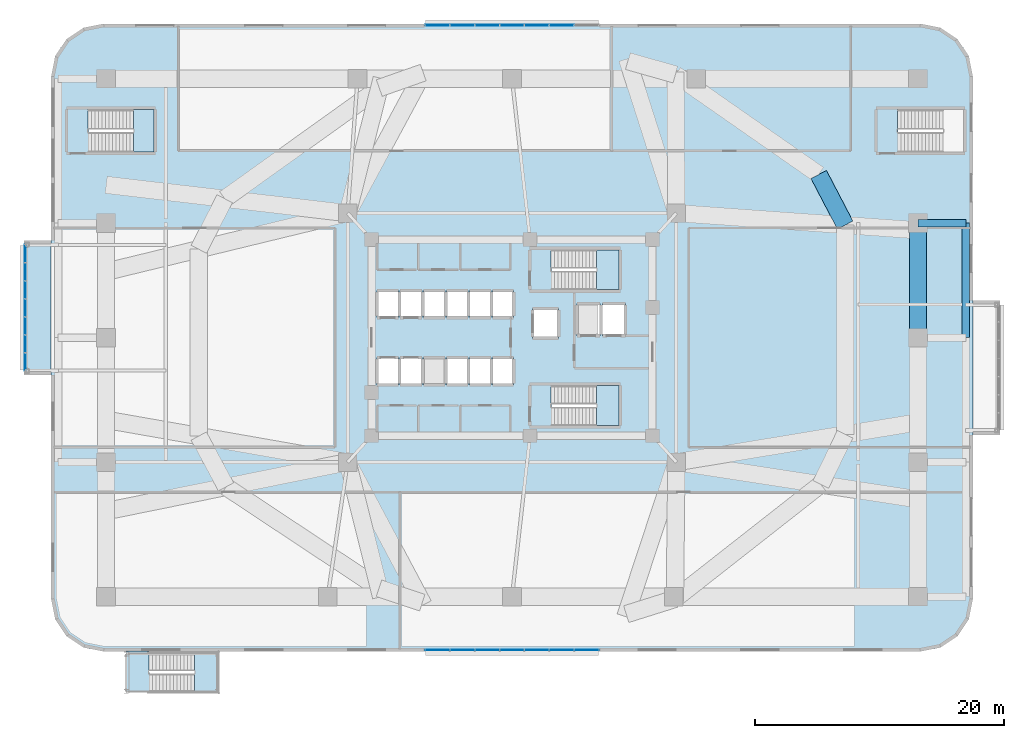
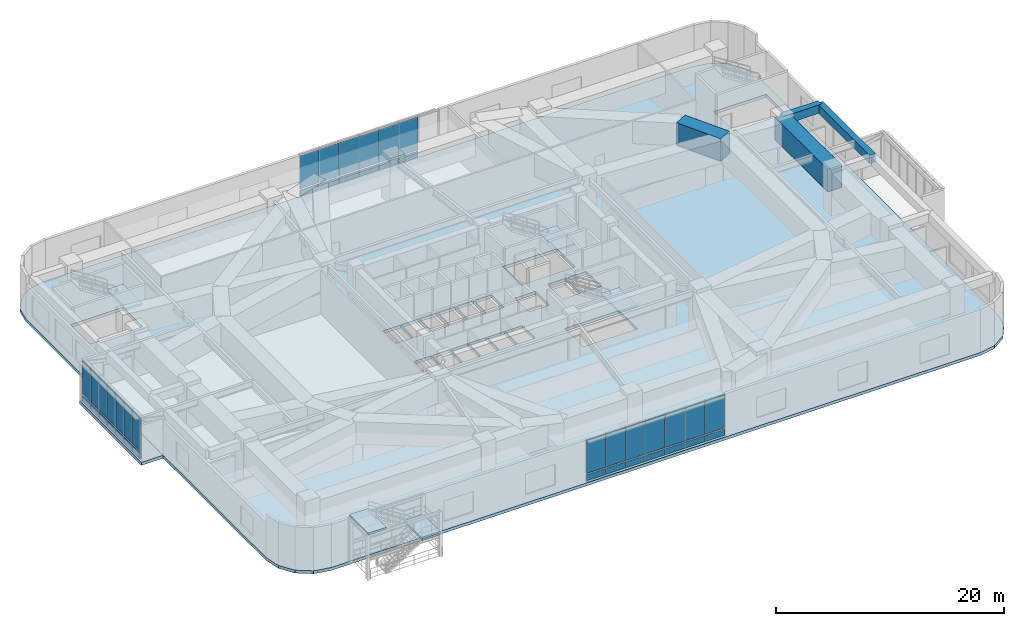
# One storey, part 15 of 26: 40 plates, 7 slabs, 4 beams, 7 elements without a shape of their own.
"""IFC4 building model written with IfcOpenShell, lengths in metres."""

from ifc_helpers import new_model, si_unit, direction, frame, origin, origin_2d, place, context, subcontext, project, spatial, polyline, rectangle, outline, extrude, material, layer, layer_set, material_profile, profile_set, type_object, element, aggregate, save


model = new_model("IFC4")

# Units and contexts
model_context = context("Model", 3, precision=1e-05, world=origin(), true_north=direction((0.0, 1.0)))
body_context = subcontext(model_context, "Body", "Model", "MODEL_VIEW")
ifc_project = project(units=[si_unit("LENGTHUNIT", "METRE"), si_unit("AREAUNIT", "SQUARE_METRE"), si_unit("VOLUMEUNIT", "CUBIC_METRE"), si_unit("PLANEANGLEUNIT", "RADIAN"), si_unit("MASSUNIT", "GRAM", prefix="KILO")], contexts=[model_context])

# Site, building, storey
site_placement = place(None, origin())
site = spatial("IfcSite", under=ifc_project, at=site_placement, CompositionType="ELEMENT")
building_placement = place(site_placement, origin())
building = spatial("IfcBuilding", under=site, at=building_placement, Name="Zulverin Broadcast Headquarters", CompositionType="ELEMENT")
storey_placement = place(building_placement, frame((0.0, 0.0, 20.0)))
storey = spatial("IfcBuildingStorey", under=building, at=storey_placement, Name="L04", CompositionType="ELEMENT", Elevation=20.0)

# Beams
ifc_material_1 = material(Name="Concrete C40/50", Category="concrete")
ifc_material_profile_1 = material_profile(ifc_material_1, rectangle(XDim=0.60009765625, YDim=0.89990234375, at=origin_2d()), Name="Concrete C40/50", Category="concrete")
ifc_profile_set_1 = profile_set([ifc_material_profile_1], Name="Concrete C40/50")
beam_type_1 = type_object("IfcBeamType", Name="BM-RC-600x900", PredefinedType="BEAM", material=ifc_profile_set_1)
beam_1_placement = place(storey_placement, frame((69.60009765625, 34.39990234375, 4.14990234375), z_axis=(1.0, 0.0, 0.0), x_axis=(0.0, 1.0, 0.0)))
element("IfcBeam", 1, at=beam_1_placement, inside=storey, type_object=beam_type_1, Name="L04 East Perimeter Bracket Girder EBR-4", PredefinedType="BEAM", context=body_context, shape_type="SweptSolid", body=[
    extrude(rectangle(XDim=0.60009765625, YDim=0.89990234375, at=origin_2d()), origin(), (0.0, 0.0, 1.0), 3.849853515625),
])
beam_2_placement = place(storey_placement, frame((73.449951171875, 25.199951171875, 4.14990234375), z_axis=(0.0, 1.0, 0.0), x_axis=(-1.0, 0.0, 0.0)))
element("IfcBeam", 2, at=beam_2_placement, inside=storey, type_object=beam_type_1, Name="L04 East Edge Spandrel Girder EEG-3", PredefinedType="BEAM", context=body_context, shape_type="SweptSolid", body=[
    extrude(rectangle(XDim=0.60009765625, YDim=0.89990234375, at=origin_2d()), origin(), (0.0, 0.0, 1.0), 9.199951171875),
])
ifc_material_2 = material(Name="Concrete C60/75", Category="concrete")
ifc_material_profile_2 = material_profile(ifc_material_2, rectangle(XDim=1.39990234375, YDim=2.39990234375, at=origin_2d()), Name="Concrete C60/75", Category="concrete")
ifc_profile_set_2 = profile_set([ifc_material_profile_2], Name="Concrete C60/75")
beam_type_2 = type_object("IfcBeamType", Name="BM-TG-1400x2400", PredefinedType="USERDEFINED", material=ifc_profile_set_2)
beam_3_placement = place(storey_placement, frame((69.60009765625, 25.199951171875, 3.39990234375), z_axis=(0.0, 1.0, 0.0), x_axis=(-1.0, 0.0, 0.0)))
element("IfcBeam", 3, at=beam_3_placement, inside=storey, type_object=beam_type_2, Name="L04 Podium Transfer Ring Girder P15-P16", ObjectType="TRANSFER GIRDER", PredefinedType="USERDEFINED", context=body_context, shape_type="SweptSolid", body=[
    extrude(rectangle(XDim=1.39990234375, YDim=2.39990234375, at=origin_2d()), origin(), (0.0, 0.0, 1.0), 9.199951171875),
])
beam_4_placement = place(storey_placement, frame((63.75, 34.235107421875, 3.39990234375), z_axis=(-0.462531417359, 0.886602891917, 0.0), x_axis=(-0.886602891917, -0.462531417359, 0.0)))
element("IfcBeam", 4, at=beam_4_placement, inside=storey, type_object=beam_type_2, Name="L05 Tower Base Transfer Ring Girder TGR-06", ObjectType="TRANSFER GIRDER", PredefinedType="USERDEFINED", context=body_context, shape_type="SweptSolid", body=[
    extrude(rectangle(XDim=1.39990234375, YDim=2.39990234375, at=origin_2d()), origin(), (0.0, 0.0, 1.0), 4.583251953125),
])

# Curtain wall, plates
ifc_material_3 = material(Name="Pale-metal unitised podium curtain wall", Category="aluminium")
curtain_wall_type_1 = type_object("IfcCurtainWallType", Name="CW-POD", PredefinedType="USERDEFINED", material=ifc_material_3)
curtain_wall_1_placement = place(storey_placement, origin())
curtain_wall_1 = element("IfcCurtainWall", 5, at=curtain_wall_1_placement, inside=storey, type_object=curtain_wall_type_1, Name="L04 Unitised Curtain Wall CW-L04-N2", ObjectType="UNITISED CURTAIN WALL", PredefinedType="USERDEFINED")
ifc_material_4 = material(Name="Low-E double-glazed pale-silver vision glass", Category="glass")
ifc_layer_1 = layer(ifc_material_4, 0.035888671875, Name="Low-E double-glazed pale-silver vision glass", Category="glass")
ifc_layer_set_1 = layer_set([ifc_layer_1], Name="Low-E double-glazed pale-silver vision glass")
plate_type_1 = type_object("IfcPlateType", Name="CW-PNL-GLZ", PredefinedType="CURTAIN_PANEL", material=ifc_layer_set_1)
plate_1_placement = place(storey_placement, frame((41.0, 50.280029296875, 0.9150390625), z_axis=(0.0, 0.0, 1.0), x_axis=(-1.0, 0.0, 0.0)))
plate_1 = element("IfcPlate", 6, at=plate_1_placement, type_object=plate_type_1, Name="CW-L04-N2 Vision Panel 01", PredefinedType="CURTAIN_PANEL", context=body_context, shape_type="SweptSolid", body=[
    extrude(rectangle(XDim=1.9599609375, YDim=0.035888671875, at=origin_2d()), origin(), (0.0, 0.0, 1.0), 3.544921875),
])
plate_2_placement = place(storey_placement, frame((39.0, 50.280029296875, 0.9150390625), z_axis=(0.0, 0.0, 1.0), x_axis=(-1.0, 0.0, 0.0)))
plate_2 = element("IfcPlate", 7, at=plate_2_placement, type_object=plate_type_1, Name="CW-L04-N2 Vision Panel 02", PredefinedType="CURTAIN_PANEL", context=body_context, shape_type="SweptSolid", body=[
    extrude(rectangle(XDim=1.9599609375, YDim=0.035888671875, at=origin_2d()), origin(), (0.0, 0.0, 1.0), 3.544921875),
])
plate_3_placement = place(storey_placement, frame((37.0, 50.280029296875, 0.9150390625), z_axis=(0.0, 0.0, 1.0), x_axis=(-1.0, 0.0, 0.0)))
plate_3 = element("IfcPlate", 8, at=plate_3_placement, type_object=plate_type_1, Name="CW-L04-N2 Vision Panel 03", PredefinedType="CURTAIN_PANEL", context=body_context, shape_type="SweptSolid", body=[
    extrude(rectangle(XDim=1.9599609375, YDim=0.035888671875, at=origin_2d()), origin(), (0.0, 0.0, 1.0), 3.544921875),
])
plate_4_placement = place(storey_placement, frame((35.0, 50.280029296875, 0.9150390625), z_axis=(0.0, 0.0, 1.0), x_axis=(-1.0, 0.0, 0.0)))
plate_4 = element("IfcPlate", 9, at=plate_4_placement, type_object=plate_type_1, Name="CW-L04-N2 Vision Panel 04", PredefinedType="CURTAIN_PANEL", context=body_context, shape_type="SweptSolid", body=[
    extrude(rectangle(XDim=1.9599609375, YDim=0.035888671875, at=origin_2d()), origin(), (0.0, 0.0, 1.0), 3.544921875),
])
plate_5_placement = place(storey_placement, frame((33.0, 50.280029296875, 0.9150390625), z_axis=(0.0, 0.0, 1.0), x_axis=(-1.0, 0.0, 0.0)))
plate_5 = element("IfcPlate", 10, at=plate_5_placement, type_object=plate_type_1, Name="CW-L04-N2 Vision Panel 05", PredefinedType="CURTAIN_PANEL", context=body_context, shape_type="SweptSolid", body=[
    extrude(rectangle(XDim=1.9599609375, YDim=0.035888671875, at=origin_2d()), origin(), (0.0, 0.0, 1.0), 3.544921875),
])
plate_6_placement = place(storey_placement, frame((31.0, 50.280029296875, 0.9150390625), z_axis=(0.0, 0.0, 1.0), x_axis=(-1.0, 0.0, 0.0)))
plate_6 = element("IfcPlate", 11, at=plate_6_placement, type_object=plate_type_1, Name="CW-L04-N2 Vision Panel 06", PredefinedType="CURTAIN_PANEL", context=body_context, shape_type="SweptSolid", body=[
    extrude(rectangle(XDim=1.9599609375, YDim=0.035888671875, at=origin_2d()), origin(), (0.0, 0.0, 1.0), 3.544921875),
])

curtain_wall_2_placement = place(storey_placement, origin())
curtain_wall_2 = element("IfcCurtainWall", 12, at=curtain_wall_2_placement, inside=storey, type_object=curtain_wall_type_1, Name="L04 Unitised Curtain Wall CW-L04-S4", ObjectType="UNITISED CURTAIN WALL", PredefinedType="USERDEFINED")
plate_7_placement = place(storey_placement, frame((31.0, 0.1201171875, 0.9150390625), z_axis=(0.0, 0.0, 1.0), x_axis=(1.0, 0.0, 0.0)))
plate_7 = element("IfcPlate", 13, at=plate_7_placement, type_object=plate_type_1, Name="CW-L04-S4 Vision Panel 00", PredefinedType="CURTAIN_PANEL", context=body_context, shape_type="SweptSolid", body=[
    extrude(rectangle(XDim=1.9599609375, YDim=0.035888671875, at=origin_2d()), origin(), (0.0, 0.0, 1.0), 3.544921875),
])
plate_8_placement = place(storey_placement, frame((33.0, 0.1201171875, 0.9150390625), z_axis=(0.0, 0.0, 1.0), x_axis=(1.0, 0.0, 0.0)))
plate_8 = element("IfcPlate", 14, at=plate_8_placement, type_object=plate_type_1, Name="CW-L04-S4 Vision Panel 01", PredefinedType="CURTAIN_PANEL", context=body_context, shape_type="SweptSolid", body=[
    extrude(rectangle(XDim=1.9599609375, YDim=0.035888671875, at=origin_2d()), origin(), (0.0, 0.0, 1.0), 3.544921875),
])
plate_9_placement = place(storey_placement, frame((35.0, 0.1201171875, 0.9150390625), z_axis=(0.0, 0.0, 1.0), x_axis=(1.0, 0.0, 0.0)))
plate_9 = element("IfcPlate", 15, at=plate_9_placement, type_object=plate_type_1, Name="CW-L04-S4 Vision Panel 02", PredefinedType="CURTAIN_PANEL", context=body_context, shape_type="SweptSolid", body=[
    extrude(rectangle(XDim=1.9599609375, YDim=0.035888671875, at=origin_2d()), origin(), (0.0, 0.0, 1.0), 3.544921875),
])
plate_10_placement = place(storey_placement, frame((37.0, 0.1201171875, 0.9150390625), z_axis=(0.0, 0.0, 1.0), x_axis=(1.0, 0.0, 0.0)))
plate_10 = element("IfcPlate", 16, at=plate_10_placement, type_object=plate_type_1, Name="CW-L04-S4 Vision Panel 03", PredefinedType="CURTAIN_PANEL", context=body_context, shape_type="SweptSolid", body=[
    extrude(rectangle(XDim=1.9599609375, YDim=0.035888671875, at=origin_2d()), origin(), (0.0, 0.0, 1.0), 3.544921875),
])
plate_11_placement = place(storey_placement, frame((39.0, 0.1201171875, 0.9150390625), z_axis=(0.0, 0.0, 1.0), x_axis=(1.0, 0.0, 0.0)))
plate_11 = element("IfcPlate", 17, at=plate_11_placement, type_object=plate_type_1, Name="CW-L04-S4 Vision Panel 04", PredefinedType="CURTAIN_PANEL", context=body_context, shape_type="SweptSolid", body=[
    extrude(rectangle(XDim=1.9599609375, YDim=0.035888671875, at=origin_2d()), origin(), (0.0, 0.0, 1.0), 3.544921875),
])
plate_12_placement = place(storey_placement, frame((41.0, 0.1201171875, 0.9150390625), z_axis=(0.0, 0.0, 1.0), x_axis=(1.0, 0.0, 0.0)))
plate_12 = element("IfcPlate", 18, at=plate_12_placement, type_object=plate_type_1, Name="CW-L04-S4 Vision Panel 05", PredefinedType="CURTAIN_PANEL", context=body_context, shape_type="SweptSolid", body=[
    extrude(rectangle(XDim=1.9599609375, YDim=0.035888671875, at=origin_2d()), origin(), (0.0, 0.0, 1.0), 3.544921875),
])
plate_13_placement = place(storey_placement, frame((43.0, 0.1201171875, 0.9150390625), z_axis=(0.0, 0.0, 1.0), x_axis=(1.0, 0.0, 0.0)))
plate_13 = element("IfcPlate", 19, at=plate_13_placement, type_object=plate_type_1, Name="CW-L04-S4 Vision Panel 06", PredefinedType="CURTAIN_PANEL", context=body_context, shape_type="SweptSolid", body=[
    extrude(rectangle(XDim=1.9599609375, YDim=0.035888671875, at=origin_2d()), origin(), (0.0, 0.0, 1.0), 3.544921875),
])

ifc_material_5 = material(Name="Acoustic triple-glazed studio box curtain wall", Category="aluminium")
curtain_wall_type_2 = type_object("IfcCurtainWallType", Name="CW-SBOX", PredefinedType="USERDEFINED", material=ifc_material_5)
curtain_wall_3_placement = place(storey_placement, origin())
curtain_wall_3 = element("IfcCurtainWall", 20, at=curtain_wall_3_placement, inside=storey, type_object=curtain_wall_type_2, Name="L04 Unitised Curtain Wall CW-L04-SBOX_POD_UPPER_W1-F", ObjectType="UNITISED CURTAIN WALL", PredefinedType="USERDEFINED")
plate_14_placement = place(storey_placement, frame((-2.080078125, 31.954345703125, 0.9150390625), z_axis=(0.0, 0.0, 1.0), x_axis=(0.0, -1.0, 0.0)))
plate_14 = element("IfcPlate", 21, at=plate_14_placement, type_object=plate_type_1, Name="CW-L04-SBOX_POD_UPPER_W1-F Vision Panel 00", PredefinedType="CURTAIN_PANEL", context=body_context, shape_type="SweptSolid", body=[
    extrude(rectangle(XDim=1.411376953125, YDim=0.035888671875, at=origin_2d()), origin(), (0.0, 0.0, 1.0), 3.544921875),
])
plate_15_placement = place(storey_placement, frame((-2.080078125, 30.5029296875, 0.9150390625), z_axis=(0.0, 0.0, 1.0), x_axis=(0.0, -1.0, 0.0)))
plate_15 = element("IfcPlate", 22, at=plate_15_placement, type_object=plate_type_1, Name="CW-L04-SBOX_POD_UPPER_W1-F Vision Panel 01", PredefinedType="CURTAIN_PANEL", context=body_context, shape_type="SweptSolid", body=[
    extrude(rectangle(XDim=1.411376953125, YDim=0.035888671875, at=origin_2d()), origin(), (0.0, 0.0, 1.0), 3.544921875),
])
plate_16_placement = place(storey_placement, frame((-2.080078125, 29.051513671875, 0.9150390625), z_axis=(0.0, 0.0, 1.0), x_axis=(0.0, -1.0, 0.0)))
plate_16 = element("IfcPlate", 23, at=plate_16_placement, type_object=plate_type_1, Name="CW-L04-SBOX_POD_UPPER_W1-F Vision Panel 02", PredefinedType="CURTAIN_PANEL", context=body_context, shape_type="SweptSolid", body=[
    extrude(rectangle(XDim=1.411376953125, YDim=0.035888671875, at=origin_2d()), origin(), (0.0, 0.0, 1.0), 3.544921875),
])
plate_17_placement = place(storey_placement, frame((-2.080078125, 27.60009765625, 0.9150390625), z_axis=(0.0, 0.0, 1.0), x_axis=(0.0, -1.0, 0.0)))
plate_17 = element("IfcPlate", 24, at=plate_17_placement, type_object=plate_type_1, Name="CW-L04-SBOX_POD_UPPER_W1-F Vision Panel 03", PredefinedType="CURTAIN_PANEL", context=body_context, shape_type="SweptSolid", body=[
    extrude(rectangle(XDim=1.411376953125, YDim=0.035888671875, at=origin_2d()), origin(), (0.0, 0.0, 1.0), 3.544921875),
])
plate_18_placement = place(storey_placement, frame((-2.080078125, 26.148681640625, 0.9150390625), z_axis=(0.0, 0.0, 1.0), x_axis=(0.0, -1.0, 0.0)))
plate_18 = element("IfcPlate", 25, at=plate_18_placement, type_object=plate_type_1, Name="CW-L04-SBOX_POD_UPPER_W1-F Vision Panel 04", PredefinedType="CURTAIN_PANEL", context=body_context, shape_type="SweptSolid", body=[
    extrude(rectangle(XDim=1.411376953125, YDim=0.035888671875, at=origin_2d()), origin(), (0.0, 0.0, 1.0), 3.544921875),
])
plate_19_placement = place(storey_placement, frame((-2.080078125, 24.697021484375, 0.9150390625), z_axis=(0.0, 0.0, 1.0), x_axis=(0.0, -1.0, 0.0)))
plate_19 = element("IfcPlate", 26, at=plate_19_placement, type_object=plate_type_1, Name="CW-L04-SBOX_POD_UPPER_W1-F Vision Panel 05", PredefinedType="CURTAIN_PANEL", context=body_context, shape_type="SweptSolid", body=[
    extrude(rectangle(XDim=1.411376953125, YDim=0.035888671875, at=origin_2d()), origin(), (0.0, 0.0, 1.0), 3.544921875),
])
plate_20_placement = place(storey_placement, frame((-2.080078125, 23.24560546875, 0.9150390625), z_axis=(0.0, 0.0, 1.0), x_axis=(0.0, -1.0, 0.0)))
plate_20 = element("IfcPlate", 27, at=plate_20_placement, type_object=plate_type_1, Name="CW-L04-SBOX_POD_UPPER_W1-F Vision Panel 06", PredefinedType="CURTAIN_PANEL", context=body_context, shape_type="SweptSolid", body=[
    extrude(rectangle(XDim=1.411376953125, YDim=0.035888671875, at=origin_2d()), origin(), (0.0, 0.0, 1.0), 3.544921875),
])

# Plate
ifc_material_6 = material(Name="Insulated brushed pale-aluminium spandrel cassette", Category="aluminium")
ifc_layer_2 = layer(ifc_material_6, 0.050048828125, Name="Insulated brushed pale-aluminium spandrel cassette", Category="aluminium")
ifc_layer_set_2 = layer_set([ifc_layer_2], Name="Insulated brushed pale-aluminium spandrel cassette")
plate_type_2 = type_object("IfcPlateType", Name="CW-PNL-SPN", PredefinedType="CURTAIN_PANEL", material=ifc_layer_set_2)
plate_21_placement = place(storey_placement, frame((41.0, 50.280029296875, 0.139892578125), z_axis=(0.0, 0.0, 1.0), x_axis=(-1.0, 0.0, 0.0)))
plate_21 = element("IfcPlate", 28, at=plate_21_placement, type_object=plate_type_2, Name="CW-L04-N2 Spandrel Cassette 01", PredefinedType="CURTAIN_PANEL", context=body_context, shape_type="SweptSolid", body=[
    extrude(rectangle(XDim=1.9599609375, YDim=0.050048828125, at=origin_2d()), origin(), (0.0, 0.0, 1.0), 0.64501953125),
])

plate_22_placement = place(storey_placement, frame((39.0, 50.280029296875, 0.139892578125), z_axis=(0.0, 0.0, 1.0), x_axis=(-1.0, 0.0, 0.0)))
plate_22 = element("IfcPlate", 29, at=plate_22_placement, type_object=plate_type_2, Name="CW-L04-N2 Spandrel Cassette 02", PredefinedType="CURTAIN_PANEL", context=body_context, shape_type="SweptSolid", body=[
    extrude(rectangle(XDim=1.9599609375, YDim=0.050048828125, at=origin_2d()), origin(), (0.0, 0.0, 1.0), 0.64501953125),
])

plate_23_placement = place(storey_placement, frame((37.0, 50.280029296875, 0.139892578125), z_axis=(0.0, 0.0, 1.0), x_axis=(-1.0, 0.0, 0.0)))
plate_23 = element("IfcPlate", 30, at=plate_23_placement, type_object=plate_type_2, Name="CW-L04-N2 Spandrel Cassette 03", PredefinedType="CURTAIN_PANEL", context=body_context, shape_type="SweptSolid", body=[
    extrude(rectangle(XDim=1.9599609375, YDim=0.050048828125, at=origin_2d()), origin(), (0.0, 0.0, 1.0), 0.64501953125),
])

plate_24_placement = place(storey_placement, frame((35.0, 50.280029296875, 0.139892578125), z_axis=(0.0, 0.0, 1.0), x_axis=(-1.0, 0.0, 0.0)))
plate_24 = element("IfcPlate", 31, at=plate_24_placement, type_object=plate_type_2, Name="CW-L04-N2 Spandrel Cassette 04", PredefinedType="CURTAIN_PANEL", context=body_context, shape_type="SweptSolid", body=[
    extrude(rectangle(XDim=1.9599609375, YDim=0.050048828125, at=origin_2d()), origin(), (0.0, 0.0, 1.0), 0.64501953125),
])

plate_25_placement = place(storey_placement, frame((33.0, 50.280029296875, 0.139892578125), z_axis=(0.0, 0.0, 1.0), x_axis=(-1.0, 0.0, 0.0)))
plate_25 = element("IfcPlate", 32, at=plate_25_placement, type_object=plate_type_2, Name="CW-L04-N2 Spandrel Cassette 05", PredefinedType="CURTAIN_PANEL", context=body_context, shape_type="SweptSolid", body=[
    extrude(rectangle(XDim=1.9599609375, YDim=0.050048828125, at=origin_2d()), origin(), (0.0, 0.0, 1.0), 0.64501953125),
])

plate_26_placement = place(storey_placement, frame((31.0, 50.280029296875, 0.139892578125), z_axis=(0.0, 0.0, 1.0), x_axis=(-1.0, 0.0, 0.0)))
plate_26 = element("IfcPlate", 33, at=plate_26_placement, type_object=plate_type_2, Name="CW-L04-N2 Spandrel Cassette 06", PredefinedType="CURTAIN_PANEL", context=body_context, shape_type="SweptSolid", body=[
    extrude(rectangle(XDim=1.9599609375, YDim=0.050048828125, at=origin_2d()), origin(), (0.0, 0.0, 1.0), 0.64501953125),
])

aggregate(curtain_wall_1, [plate_21, plate_1, plate_22, plate_2, plate_23, plate_3, plate_24, plate_4, plate_25, plate_5, plate_26, plate_6])

plate_27_placement = place(storey_placement, frame((31.0, 0.1201171875, 0.139892578125), z_axis=(0.0, 0.0, 1.0), x_axis=(1.0, 0.0, 0.0)))
plate_27 = element("IfcPlate", 34, at=plate_27_placement, type_object=plate_type_2, Name="CW-L04-S4 Spandrel Cassette 00", PredefinedType="CURTAIN_PANEL", context=body_context, shape_type="SweptSolid", body=[
    extrude(rectangle(XDim=1.9599609375, YDim=0.050048828125, at=origin_2d()), origin(), (0.0, 0.0, 1.0), 0.64501953125),
])

plate_28_placement = place(storey_placement, frame((33.0, 0.1201171875, 0.139892578125), z_axis=(0.0, 0.0, 1.0), x_axis=(1.0, 0.0, 0.0)))
plate_28 = element("IfcPlate", 35, at=plate_28_placement, type_object=plate_type_2, Name="CW-L04-S4 Spandrel Cassette 01", PredefinedType="CURTAIN_PANEL", context=body_context, shape_type="SweptSolid", body=[
    extrude(rectangle(XDim=1.9599609375, YDim=0.050048828125, at=origin_2d()), origin(), (0.0, 0.0, 1.0), 0.64501953125),
])

plate_29_placement = place(storey_placement, frame((35.0, 0.1201171875, 0.139892578125), z_axis=(0.0, 0.0, 1.0), x_axis=(1.0, 0.0, 0.0)))
plate_29 = element("IfcPlate", 36, at=plate_29_placement, type_object=plate_type_2, Name="CW-L04-S4 Spandrel Cassette 02", PredefinedType="CURTAIN_PANEL", context=body_context, shape_type="SweptSolid", body=[
    extrude(rectangle(XDim=1.9599609375, YDim=0.050048828125, at=origin_2d()), origin(), (0.0, 0.0, 1.0), 0.64501953125),
])

plate_30_placement = place(storey_placement, frame((37.0, 0.1201171875, 0.139892578125), z_axis=(0.0, 0.0, 1.0), x_axis=(1.0, 0.0, 0.0)))
plate_30 = element("IfcPlate", 37, at=plate_30_placement, type_object=plate_type_2, Name="CW-L04-S4 Spandrel Cassette 03", PredefinedType="CURTAIN_PANEL", context=body_context, shape_type="SweptSolid", body=[
    extrude(rectangle(XDim=1.9599609375, YDim=0.050048828125, at=origin_2d()), origin(), (0.0, 0.0, 1.0), 0.64501953125),
])

plate_31_placement = place(storey_placement, frame((39.0, 0.1201171875, 0.139892578125), z_axis=(0.0, 0.0, 1.0), x_axis=(1.0, 0.0, 0.0)))
plate_31 = element("IfcPlate", 38, at=plate_31_placement, type_object=plate_type_2, Name="CW-L04-S4 Spandrel Cassette 04", PredefinedType="CURTAIN_PANEL", context=body_context, shape_type="SweptSolid", body=[
    extrude(rectangle(XDim=1.9599609375, YDim=0.050048828125, at=origin_2d()), origin(), (0.0, 0.0, 1.0), 0.64501953125),
])

plate_32_placement = place(storey_placement, frame((41.0, 0.1201171875, 0.139892578125), z_axis=(0.0, 0.0, 1.0), x_axis=(1.0, 0.0, 0.0)))
plate_32 = element("IfcPlate", 39, at=plate_32_placement, type_object=plate_type_2, Name="CW-L04-S4 Spandrel Cassette 05", PredefinedType="CURTAIN_PANEL", context=body_context, shape_type="SweptSolid", body=[
    extrude(rectangle(XDim=1.9599609375, YDim=0.050048828125, at=origin_2d()), origin(), (0.0, 0.0, 1.0), 0.64501953125),
])

plate_33_placement = place(storey_placement, frame((43.0, 0.1201171875, 0.139892578125), z_axis=(0.0, 0.0, 1.0), x_axis=(1.0, 0.0, 0.0)))
plate_33 = element("IfcPlate", 40, at=plate_33_placement, type_object=plate_type_2, Name="CW-L04-S4 Spandrel Cassette 06", PredefinedType="CURTAIN_PANEL", context=body_context, shape_type="SweptSolid", body=[
    extrude(rectangle(XDim=1.9599609375, YDim=0.050048828125, at=origin_2d()), origin(), (0.0, 0.0, 1.0), 0.64501953125),
])

aggregate(curtain_wall_2, [plate_27, plate_7, plate_28, plate_8, plate_29, plate_9, plate_30, plate_10, plate_31, plate_11, plate_32, plate_12, plate_33, plate_13])

plate_34_placement = place(storey_placement, frame((-2.080078125, 31.954345703125, 0.139892578125), z_axis=(0.0, 0.0, 1.0), x_axis=(0.0, -1.0, 0.0)))
plate_34 = element("IfcPlate", 41, at=plate_34_placement, type_object=plate_type_2, Name="CW-L04-SBOX_POD_UPPER_W1-F Spandrel Cassette 00", PredefinedType="CURTAIN_PANEL", context=body_context, shape_type="SweptSolid", body=[
    extrude(rectangle(XDim=1.411376953125, YDim=0.050048828125, at=origin_2d()), origin(), (0.0, 0.0, 1.0), 0.64501953125),
])

plate_35_placement = place(storey_placement, frame((-2.080078125, 30.5029296875, 0.139892578125), z_axis=(0.0, 0.0, 1.0), x_axis=(0.0, -1.0, 0.0)))
plate_35 = element("IfcPlate", 42, at=plate_35_placement, type_object=plate_type_2, Name="CW-L04-SBOX_POD_UPPER_W1-F Spandrel Cassette 01", PredefinedType="CURTAIN_PANEL", context=body_context, shape_type="SweptSolid", body=[
    extrude(rectangle(XDim=1.411376953125, YDim=0.050048828125, at=origin_2d()), origin(), (0.0, 0.0, 1.0), 0.64501953125),
])

plate_36_placement = place(storey_placement, frame((-2.080078125, 29.051513671875, 0.139892578125), z_axis=(0.0, 0.0, 1.0), x_axis=(0.0, -1.0, 0.0)))
plate_36 = element("IfcPlate", 43, at=plate_36_placement, type_object=plate_type_2, Name="CW-L04-SBOX_POD_UPPER_W1-F Spandrel Cassette 02", PredefinedType="CURTAIN_PANEL", context=body_context, shape_type="SweptSolid", body=[
    extrude(rectangle(XDim=1.411376953125, YDim=0.050048828125, at=origin_2d()), origin(), (0.0, 0.0, 1.0), 0.64501953125),
])

plate_37_placement = place(storey_placement, frame((-2.080078125, 27.60009765625, 0.139892578125), z_axis=(0.0, 0.0, 1.0), x_axis=(0.0, -1.0, 0.0)))
plate_37 = element("IfcPlate", 44, at=plate_37_placement, type_object=plate_type_2, Name="CW-L04-SBOX_POD_UPPER_W1-F Spandrel Cassette 03", PredefinedType="CURTAIN_PANEL", context=body_context, shape_type="SweptSolid", body=[
    extrude(rectangle(XDim=1.411376953125, YDim=0.050048828125, at=origin_2d()), origin(), (0.0, 0.0, 1.0), 0.64501953125),
])

plate_38_placement = place(storey_placement, frame((-2.080078125, 26.148681640625, 0.139892578125), z_axis=(0.0, 0.0, 1.0), x_axis=(0.0, -1.0, 0.0)))
plate_38 = element("IfcPlate", 45, at=plate_38_placement, type_object=plate_type_2, Name="CW-L04-SBOX_POD_UPPER_W1-F Spandrel Cassette 04", PredefinedType="CURTAIN_PANEL", context=body_context, shape_type="SweptSolid", body=[
    extrude(rectangle(XDim=1.411376953125, YDim=0.050048828125, at=origin_2d()), origin(), (0.0, 0.0, 1.0), 0.64501953125),
])

plate_39_placement = place(storey_placement, frame((-2.080078125, 24.697021484375, 0.139892578125), z_axis=(0.0, 0.0, 1.0), x_axis=(0.0, -1.0, 0.0)))
plate_39 = element("IfcPlate", 46, at=plate_39_placement, type_object=plate_type_2, Name="CW-L04-SBOX_POD_UPPER_W1-F Spandrel Cassette 05", PredefinedType="CURTAIN_PANEL", context=body_context, shape_type="SweptSolid", body=[
    extrude(rectangle(XDim=1.411376953125, YDim=0.050048828125, at=origin_2d()), origin(), (0.0, 0.0, 1.0), 0.64501953125),
])

plate_40_placement = place(storey_placement, frame((-2.080078125, 23.24560546875, 0.139892578125), z_axis=(0.0, 0.0, 1.0), x_axis=(0.0, -1.0, 0.0)))
plate_40 = element("IfcPlate", 47, at=plate_40_placement, type_object=plate_type_2, Name="CW-L04-SBOX_POD_UPPER_W1-F Spandrel Cassette 06", PredefinedType="CURTAIN_PANEL", context=body_context, shape_type="SweptSolid", body=[
    extrude(rectangle(XDim=1.411376953125, YDim=0.050048828125, at=origin_2d()), origin(), (0.0, 0.0, 1.0), 0.64501953125),
])

aggregate(curtain_wall_3, [plate_34, plate_14, plate_35, plate_15, plate_36, plate_16, plate_37, plate_17, plate_38, plate_18, plate_39, plate_19, plate_40, plate_20])

# Slabs
ifc_layer_3 = layer(ifc_material_1, 0.320068359375, Name="Concrete C40/50", Category="concrete")
ifc_layer_set_3 = layer_set([ifc_layer_3], Name="Concrete C40/50")
slab_type_1 = type_object("IfcSlabType", Name="SLB-POD-320", PredefinedType="FLOOR", material=ifc_layer_set_3)
slab_1_placement = place(storey_placement, frame((0.0, 0.0, -0.320068359375)))
element("IfcSlab", 48, at=slab_1_placement, inside=storey, type_object=slab_type_1, Name="L04 Main Structural Floor Slab", PredefinedType="FLOOR", context=body_context, shape_type="SweptSolid", body=[
    extrude(outline(polyline([(69.800048828125, 0.0), (71.4072265625, 0.319580078125), (72.769775390625, 1.230224609375), (73.680419921875, 2.5927734375), (74.0, 4.199951171875), (74.0, 46.199951171875), (73.680419921875, 47.807373046875), (72.769775390625, 49.169921875), (71.4072265625, 50.080322265625), (69.800048828125, 50.39990234375), (4.199951171875, 50.39990234375), (2.5927734375, 50.080322265625), (1.230224609375, 49.169921875), (0.319580078125, 47.807373046875), (0.0, 46.199951171875), (0.0, 4.199951171875), (0.319580078125, 2.5927734375), (1.230224609375, 1.230224609375), (2.5927734375, 0.319580078125), (4.199951171875, 0.0), (69.800048828125, 0.0)]), holes=[polyline([(40.155029296875, 30.75), (40.13037109375, 30.75), (40.13037109375, 32.25), (45.60009765625, 32.25), (45.60009765625, 29.050048828125), (40.155029296875, 29.050048828125), (40.155029296875, 30.75)]), polyline([(40.155029296875, 19.85009765625), (40.13037109375, 19.85009765625), (40.13037109375, 21.35009765625), (45.60009765625, 21.35009765625), (45.60009765625, 18.14990234375), (40.155029296875, 18.14990234375), (40.155029296875, 19.85009765625)]), polyline([(2.9951171875, 41.89990234375), (2.970458984375, 41.89990234375), (2.970458984375, 43.5), (8.25, 43.5), (8.25, 40.10009765625), (2.9951171875, 40.10009765625), (2.9951171875, 41.89990234375)]), polyline([(67.9951171875, 41.89990234375), (67.970458984375, 41.89990234375), (67.970458984375, 43.5), (73.25, 43.5), (73.25, 40.10009765625), (67.9951171875, 40.10009765625), (67.9951171875, 41.89990234375)]), polyline([(26.14990234375, 26.800048828125), (27.89990234375, 26.800048828125), (27.89990234375, 29.0), (26.14990234375, 29.0), (26.14990234375, 26.800048828125)]), polyline([(28.02001953125, 26.800048828125), (29.77001953125, 26.800048828125), (29.77001953125, 29.0), (28.02001953125, 29.0), (28.02001953125, 26.800048828125)]), polyline([(26.14990234375, 21.39990234375), (27.89990234375, 21.39990234375), (27.89990234375, 23.60009765625), (26.14990234375, 23.60009765625), (26.14990234375, 21.39990234375)]), polyline([(28.02001953125, 21.39990234375), (29.77001953125, 21.39990234375), (29.77001953125, 23.60009765625), (28.02001953125, 23.60009765625), (28.02001953125, 21.39990234375)]), polyline([(29.89990234375, 21.39990234375), (31.6201171875, 21.39990234375), (31.6201171875, 23.60009765625), (29.89990234375, 23.60009765625), (29.89990234375, 21.39990234375)]), polyline([(31.739990234375, 21.39990234375), (33.4599609375, 21.39990234375), (33.4599609375, 23.60009765625), (31.739990234375, 23.60009765625), (31.739990234375, 21.39990234375)]), polyline([(33.580078125, 21.39990234375), (35.300048828125, 21.39990234375), (35.300048828125, 23.60009765625), (33.580078125, 23.60009765625), (33.580078125, 21.39990234375)]), polyline([(35.419921875, 21.39990234375), (37.139892578125, 21.39990234375), (37.139892578125, 23.60009765625), (35.419921875, 23.60009765625), (35.419921875, 21.39990234375)]), polyline([(29.89990234375, 26.800048828125), (31.6201171875, 26.800048828125), (31.6201171875, 29.0), (29.89990234375, 29.0), (29.89990234375, 26.800048828125)]), polyline([(31.739990234375, 26.800048828125), (33.4599609375, 26.800048828125), (33.4599609375, 29.0), (31.739990234375, 29.0), (31.739990234375, 26.800048828125)]), polyline([(33.580078125, 26.800048828125), (35.300048828125, 26.800048828125), (35.300048828125, 29.0), (33.580078125, 29.0), (33.580078125, 26.800048828125)]), polyline([(35.419921875, 26.800048828125), (37.139892578125, 26.800048828125), (37.139892578125, 29.0), (35.419921875, 29.0), (35.419921875, 26.800048828125)]), polyline([(42.199951171875, 25.35009765625), (44.050048828125, 25.35009765625), (44.050048828125, 27.949951171875), (42.199951171875, 27.949951171875), (42.199951171875, 25.35009765625)]), polyline([(44.25, 25.35009765625), (46.10009765625, 25.35009765625), (46.10009765625, 27.949951171875), (44.25, 27.949951171875), (44.25, 25.35009765625)]), polyline([(38.64990234375, 25.14990234375), (40.75, 25.14990234375), (40.75, 27.550048828125), (38.64990234375, 27.550048828125), (38.64990234375, 25.14990234375)])]), origin(), (0.0, 0.0, 1.0), 0.320068359375),
])
slab_2_placement = place(storey_placement, frame((0.0, 0.0, -0.320068359375)))
element("IfcSlab", 49, at=slab_2_placement, inside=storey, type_object=slab_type_1, Name="L04 Shifted Broadcast Studio Box Floor Slab SBOX_POD_UPPER_W1", PredefinedType="FLOOR", context=body_context, shape_type="SweptSolid", body=[
    extrude(outline(polyline([(-2.199951171875, 22.199951171875), (0.0, 22.199951171875), (0.0, 33.0), (-2.199951171875, 33.0), (-2.199951171875, 22.199951171875)])), origin(), (0.0, 0.0, 1.0), 0.320068359375),
])

# Stair, slab
stair_type_1 = type_object("IfcStairType", Name="ST-CORE-1500", PredefinedType="HALF_TURN_STAIR", material=ifc_material_1)
stair_1_placement = place(storey_placement, origin())
stair_1 = element("IfcStair", 50, at=stair_1_placement, inside=storey, type_object=stair_type_1, Name="L04 Core Exit Stair ST-1", PredefinedType="HALF_TURN_STAIR")
ifc_layer_4 = layer(ifc_material_1, 0.199951171875, Name="Concrete C40/50", Category="concrete")
ifc_layer_set_4 = layer_set([ifc_layer_4], Name="Concrete C40/50")
slab_type_2 = type_object("IfcSlabType", Name="SLB-ST-LND200", PredefinedType="LANDING", material=ifc_layer_set_4)
slab_3_placement = place(storey_placement, frame((0.0, 0.0, 2.300048828125)))
slab_3 = element("IfcSlab", 51, at=slab_3_placement, type_object=slab_type_2, Name="ST-1 landing 1", PredefinedType="LANDING", context=body_context, shape_type="SweptSolid", body=[
    extrude(outline(polyline([(43.77001953125, 29.050048828125), (45.60009765625, 29.050048828125), (45.60009765625, 32.25), (43.77001953125, 32.25), (43.77001953125, 29.050048828125)])), origin(), (0.0, 0.0, 1.0), 0.199951171875),
])
aggregate(stair_1, [slab_3])

stair_2_placement = place(storey_placement, origin())
stair_2 = element("IfcStair", 52, at=stair_2_placement, inside=storey, type_object=stair_type_1, Name="L04 Core Exit Stair ST-2", PredefinedType="HALF_TURN_STAIR")
slab_4_placement = place(storey_placement, frame((0.0, 0.0, 2.300048828125)))
slab_4 = element("IfcSlab", 53, at=slab_4_placement, type_object=slab_type_2, Name="ST-2 landing 1", PredefinedType="LANDING", context=body_context, shape_type="SweptSolid", body=[
    extrude(outline(polyline([(43.77001953125, 18.14990234375), (45.60009765625, 18.14990234375), (45.60009765625, 21.35009765625), (43.77001953125, 21.35009765625), (43.77001953125, 18.14990234375)])), origin(), (0.0, 0.0, 1.0), 0.199951171875),
])
aggregate(stair_2, [slab_4])

stair_type_2 = type_object("IfcStairType", Name="ST-POD-1600", PredefinedType="HALF_TURN_STAIR", material=ifc_material_1)
stair_3_placement = place(storey_placement, origin())
stair_3 = element("IfcStair", 54, at=stair_3_placement, inside=storey, type_object=stair_type_2, Name="L04 Podium Exit Stair ST-3", PredefinedType="HALF_TURN_STAIR")
slab_5_placement = place(storey_placement, frame((0.0, 0.0, 2.300048828125)))
slab_5 = element("IfcSlab", 55, at=slab_5_placement, type_object=slab_type_2, Name="ST-3 landing 1", PredefinedType="LANDING", context=body_context, shape_type="SweptSolid", body=[
    extrude(outline(polyline([(6.610107421875, 40.10009765625), (8.25, 40.10009765625), (8.25, 43.5), (6.610107421875, 43.5), (6.610107421875, 40.10009765625)])), origin(), (0.0, 0.0, 1.0), 0.199951171875),
])
aggregate(stair_3, [slab_5])

# Stair, slabs
stair_type_3 = type_object("IfcStairType", Name="ST-GDN-1500", PredefinedType="HALF_TURN_STAIR", material=ifc_material_1)
stair_4_placement = place(storey_placement, origin())
stair_4 = element("IfcStair", 56, at=stair_4_placement, inside=storey, type_object=stair_type_3, Name="L04 Exterior Public Garden Stair ST-5", PredefinedType="HALF_TURN_STAIR")
slab_6_placement = place(storey_placement, frame((0.0, 0.0, 2.300048828125)))
slab_6 = element("IfcSlab", 57, at=slab_6_placement, type_object=slab_type_2, Name="ST-5 landing 1", PredefinedType="LANDING", context=body_context, shape_type="SweptSolid", body=[
    extrude(outline(polyline([(11.489990234375, -3.280029296875), (13.39990234375, -3.280029296875), (13.39990234375, -0.080078125), (11.489990234375, -0.080078125), (11.489990234375, -3.280029296875)])), origin(), (0.0, 0.0, 1.0), 0.199951171875),
])
placement = place(building_placement, frame((0.0, 0.0, 25.0)))
slab_7_placement = place(placement, frame((0.0, 0.0, -0.199951171875)))
slab_7 = element("IfcSlab", 58, at=slab_7_placement, type_object=slab_type_2, Name="L05 Exterior Garden Stair Floor Landing", PredefinedType="LANDING", context=body_context, shape_type="SweptSolid", body=[
    extrude(outline(polyline([(6.02001953125, -3.280029296875), (7.875, -3.280029296875), (7.875, -1.679931640625), (7.850341796875, -1.679931640625), (7.850341796875, 0.02001953125), (6.02001953125, 0.02001953125), (6.02001953125, -3.280029296875)])), origin(), (0.0, 0.0, 1.0), 0.199951171875),
])
aggregate(stair_4, [slab_6, slab_7])

save(model, "model.ifc")
